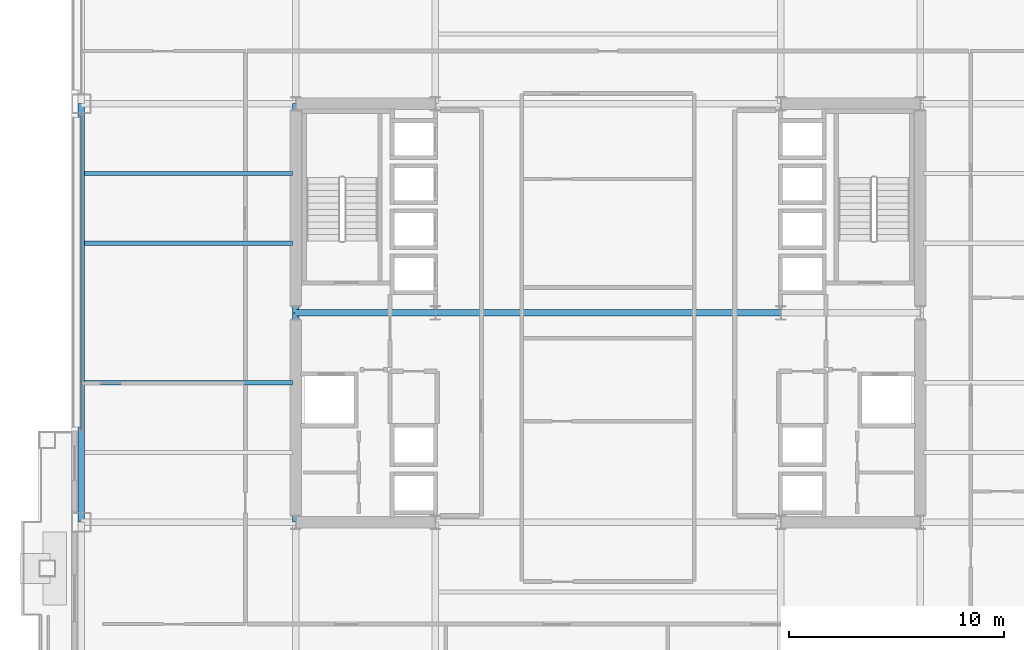
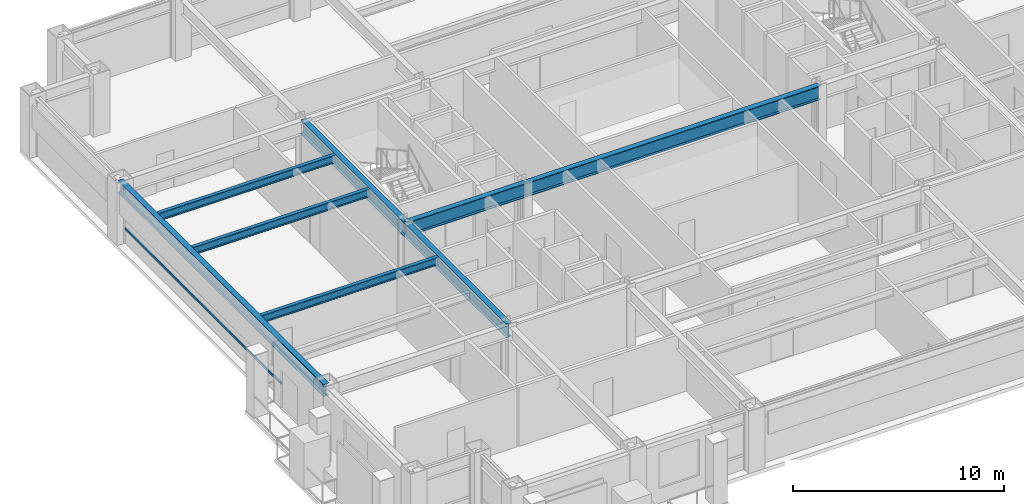
# One storey, part 7 of 29: 8 beams, 1 member, 1 element without a shape of its own.
"""IFC4 building model written with IfcOpenShell, lengths in metres."""

from ifc_helpers import new_model, si_unit, direction, frame, origin, origin_2d, place, context, subcontext, project, spatial, hollow_rectangle, i_section, extrude, material, layer, layer_set, material_profile, profile_set, type_object, element, aggregate, save


model = new_model("IFC4")

# Units and contexts
model_context = context("Model", 3, precision=1e-05, world=origin(), true_north=direction((0.0, 1.0)))
body_context = subcontext(model_context, "Body", "Model", "MODEL_VIEW")
ifc_project = project(units=[si_unit("LENGTHUNIT", "METRE"), si_unit("AREAUNIT", "SQUARE_METRE"), si_unit("VOLUMEUNIT", "CUBIC_METRE"), si_unit("PLANEANGLEUNIT", "RADIAN"), si_unit("MASSUNIT", "GRAM", prefix="KILO")], contexts=[model_context])

# Site, building, storey
site_placement = place(None, origin())
site = spatial("IfcSite", under=ifc_project, at=site_placement, CompositionType="ELEMENT")
building_placement = place(site_placement, origin())
building = spatial("IfcBuilding", under=site, at=building_placement, Name="Brelmoor Portico Tower", CompositionType="ELEMENT")
storey_placement = place(building_placement, frame((0.0, 0.0, 63.60009765625)))
storey = spatial("IfcBuildingStorey", under=building, at=storey_placement, Name="L16", CompositionType="ELEMENT", Elevation=63.60009765625)

# Beams
ifc_material_1 = material(Name="Steel Q355B", Category="steel")
ifc_material_profile_1 = material_profile(ifc_material_1, i_section(OverallWidth=0.199951171875, OverallDepth=0.449951171875, WebThickness=0.009033203125, FlangeThickness=0.013916015625, at=origin_2d()), Name="HN 450x200x9x14")
ifc_profile_set_1 = profile_set([ifc_material_profile_1], Name="Steel Q355B")
beam_type_1 = type_object("IfcBeamType", Name="BM-JS-450", PredefinedType="JOIST", material=ifc_profile_set_1)
for number, where, z_axis, x_axis, name in (
    (1, (-24.39990234375, -3.25, 3.1748046875), (1.0, 0.0, 0.0), (0.0, 1.0, 0.0), "L16 Secondary Wing Joist JS-W06"),
    (2, (-24.39990234375, 3.25, 3.1748046875), (1.0, 0.0, 0.0), (0.0, 1.0, 0.0), "L16 Secondary Wing Joist JS-W07"),
    (3, (-24.39990234375, 6.5, 3.1748046875), (1.0, 0.0, 0.0), (0.0, 1.0, 0.0), "L16 Secondary Wing Joist JS-W08"),
):
    element("IfcBeam", number, at=place(storey_placement, frame(where, z_axis=z_axis, x_axis=x_axis)), inside=storey, type_object=beam_type_1, Name=name, PredefinedType="JOIST", context=body_context, shape_type="SweptSolid", body=[
        extrude(i_section(OverallWidth=0.199951171875, OverallDepth=0.449951171875, WebThickness=0.009033203125, FlangeThickness=0.013916015625, at=origin_2d()), origin(), (0.0, 0.0, 1.0), 9.699951171875),
    ])
ifc_material_profile_2 = material_profile(ifc_material_1, i_section(OverallWidth=0.300048828125, OverallDepth=0.800048828125, WebThickness=0.013916015625, FlangeThickness=0.02587890625, at=origin_2d()), Name="HN 800x300x14x26")
ifc_profile_set_2 = profile_set([ifc_material_profile_2], Name="Steel Q355B")
beam_type_2 = type_object("IfcBeamType", Name="BM-PG-800", PredefinedType="BEAM", material=ifc_profile_set_2)
for number, where, z_axis, x_axis, name in (
    (4, (-14.550048828125, -9.75, 3.0), (0.0, 1.0, 0.0), (-1.0, 0.0, 0.0), "L16 Primary Floor Girder PG-04"),
    (5, (-14.550048828125, 0.0, 3.0), (0.0, 1.0, 0.0), (-1.0, 0.0, 0.0), "L16 Primary Floor Girder PG-05"),
):
    element("IfcBeam", number, at=place(storey_placement, frame(where, z_axis=z_axis, x_axis=x_axis)), inside=storey, type_object=beam_type_2, Name=name, PredefinedType="BEAM", context=body_context, shape_type="SweptSolid", body=[
        extrude(i_section(OverallWidth=0.300048828125, OverallDepth=0.800048828125, WebThickness=0.013916015625, FlangeThickness=0.02587890625, at=origin_2d()), origin(), (0.0, 0.0, 1.0), 9.75),
    ])
beam_1_placement = place(storey_placement, frame((-14.550048828125, 0.0, 3.0), z_axis=(1.0, 0.0, 0.0), x_axis=(0.0, 1.0, 0.0)))
element("IfcBeam", 6, at=beam_1_placement, inside=storey, type_object=beam_type_2, Name="L16 Primary Floor Girder PG-24", PredefinedType="BEAM", context=body_context, shape_type="SweptSolid", body=[
    extrude(i_section(OverallWidth=0.300048828125, OverallDepth=0.800048828125, WebThickness=0.013916015625, FlangeThickness=0.02587890625, at=origin_2d()), origin(), (0.0, 0.0, 1.0), 6.5),
])
beam_2_placement = place(storey_placement, frame((-8.050048828125, 0.0, 3.0), z_axis=(1.0, 0.0, 0.0), x_axis=(0.0, 1.0, 0.0)))
element("IfcBeam", 7, at=beam_2_placement, inside=storey, type_object=beam_type_2, Name="L16 Primary Floor Girder PG-25", PredefinedType="BEAM", context=body_context, shape_type="SweptSolid", body=[
    extrude(i_section(OverallWidth=0.300048828125, OverallDepth=0.800048828125, WebThickness=0.013916015625, FlangeThickness=0.02587890625, at=origin_2d()), origin(), (0.0, 0.0, 1.0), 16.10009765625),
])
ifc_material_profile_3 = material_profile(ifc_material_1, i_section(OverallWidth=0.300048828125, OverallDepth=0.699951171875, WebThickness=0.012939453125, FlangeThickness=0.02392578125, at=origin_2d()), Name="HN 700x300x13x24")
ifc_profile_set_3 = profile_set([ifc_material_profile_3], Name="Steel Q355B")
beam_type_3 = type_object("IfcBeamType", Name="BM-SP-700", PredefinedType="SPANDREL", material=ifc_profile_set_3)
beam_3_placement = place(storey_placement, frame((-24.550048828125, -9.75, 3.0498046875), z_axis=(0.0, 1.0, 0.0), x_axis=(-1.0, 0.0, 0.0)))
element("IfcBeam", 8, at=beam_3_placement, inside=storey, type_object=beam_type_3, Name="L16 Perimeter Spandrel Beam SP-16", PredefinedType="SPANDREL", context=body_context, shape_type="SweptSolid", body=[
    extrude(i_section(OverallWidth=0.300048828125, OverallDepth=0.699951171875, WebThickness=0.012939453125, FlangeThickness=0.02392578125, at=origin_2d()), origin(), (0.0, 0.0, 1.0), 19.5),
])

# Curtain wall, member
ifc_material_2 = material(Name="Anodised Aluminium Alloy 6063-T6", Category="aluminium")
ifc_layer = layer(ifc_material_2, 0.179931640625)
ifc_layer_set = layer_set([ifc_layer], Name="Anodised Aluminium Alloy 6063-T6")
curtain_wall_type = type_object("IfcCurtainWallType", Name="CW-TOWER-Z1", PredefinedType="NOTDEFINED", material=ifc_layer_set)
curtain_wall_placement = place(storey_placement, origin())
curtain_wall = element("IfcCurtainWall", 9, at=curtain_wall_placement, inside=storey, type_object=curtain_wall_type, Name="L16 Curtain Wall CW-L16-3R-1", PredefinedType="NOTDEFINED")
ifc_material_profile_4 = material_profile(ifc_material_2, hollow_rectangle(XDim=0.06494140625, YDim=0.139892578125, WallThickness=0.00390625, at=origin_2d()), Name="ALU TRANSOM 65x140")
ifc_profile_set_4 = profile_set([ifc_material_profile_4], Name="Anodised Aluminium Alloy 6063-T6")
member_type = type_object("IfcMemberType", Name="MB-CW-TRAN-140", PredefinedType="USERDEFINED", material=ifc_profile_set_4)
member_placement = place(storey_placement, frame((-24.550048828125, -5.5, 0.849853515625), z_axis=(0.0, 1.0, 0.0), x_axis=(-1.0, 0.0, 0.0)))
member = element("IfcMember", 10, at=member_placement, type_object=member_type, Name="CW-L16-3R-1 Transom 1-00", ObjectType="TRANSOM", PredefinedType="USERDEFINED", context=body_context, shape_type="SweptSolid", body=[
    extrude(hollow_rectangle(XDim=0.06494140625, YDim=0.139892578125, WallThickness=0.00390625, at=origin_2d()), origin(), (0.0, 0.0, 1.0), 14.7900390625),
])
aggregate(curtain_wall, [member])

save(model, "model.ifc")
